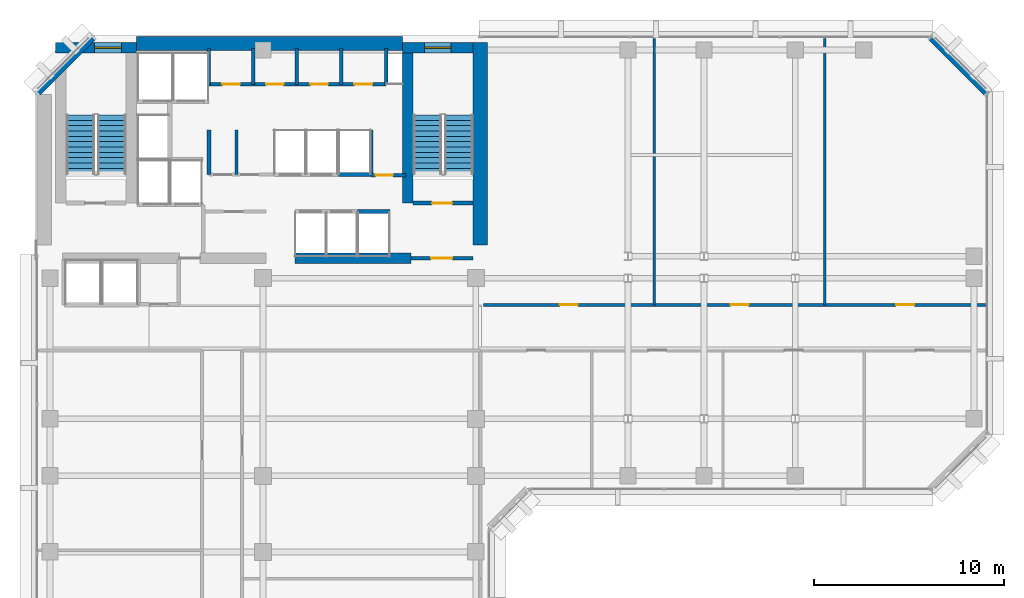
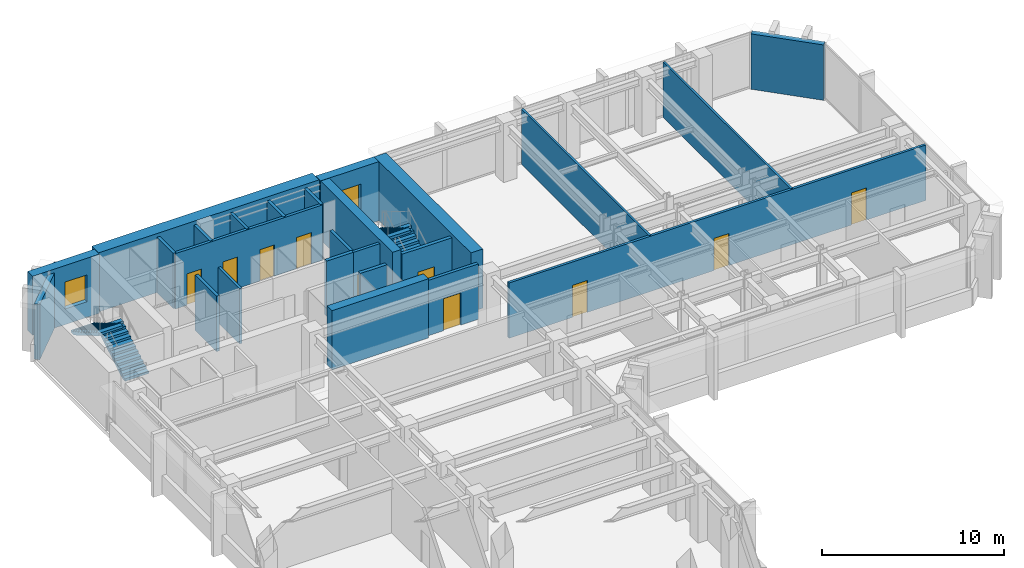
# One storey, part 8 of 11: 25 walls, 10 doors, 4 stair flights, 2 windows, 12 openings, 2 elements without a shape of their own.
"""IFC4 building model written with IfcOpenShell, lengths in metres."""

import ifcopenshell
import ifcopenshell.guid

model = None  # the IFC model being written
_history = None  # IfcOwnerHistory: only IFC2X3 demands one
_inside = {}  # id of a spatial element -> (the spatial element, [elements in it])
_under = {}  # id of a project, library or spatial element -> (it, [spatial elements below it])
_declared = {}  # id of a project -> (the project, [libraries it declares])
_typed = {}  # id of a type object -> (the type object, [elements of that type])
_made_of = {}  # id of a material, layer set ... -> (it, [elements and type objects made of it])


def new_model(schema):
    """Start an empty IFC model of exactly this schema.

    Asked for "IFC4X3", IfcOpenShell would pick the latest addendum, in which some entities
    have other attributes; the version numbers below select the first issue.
    IFC2X3 requires an IfcOwnerHistory on every rooted entity: one is made here for all.
    """
    global model, _history
    if schema == "IFC4X3":
        model = ifcopenshell.file(schema_version=(4, 3, 0, 0))
    else:
        model = ifcopenshell.file(schema=schema)
    _inside.clear()
    _under.clear()
    _declared.clear()
    _typed.clear()
    _made_of.clear()
    _history = None
    if model.schema == "IFC2X3":
        org = make("IfcOrganization", Name="unknown")
        user = make(
            "IfcPersonAndOrganization",
            ThePerson=make("IfcPerson", FamilyName="unknown"),
            TheOrganization=org,
        )
        app = make(
            "IfcApplication",
            ApplicationDeveloper=org,
            Version="unknown",
            ApplicationFullName="unknown",
            ApplicationIdentifier="unknown",
        )
        _history = make(
            "IfcOwnerHistory",
            OwningUser=user,
            OwningApplication=app,
            ChangeAction="ADDED",
            CreationDate=0,
        )
    return model


def make(cls, **values):
    """One entity of the class cls with the attributes given. An attribute that is None is left unset."""
    return model.create_entity(
        cls, **{name: value for name, value in values.items() if value is not None}
    )


def rooted(cls, **values):
    """An entity with a GlobalId (a new one), such as an element, a storey or a relation."""
    return make(cls, GlobalId=ifcopenshell.guid.new(), OwnerHistory=_history, **values)


def si_unit(unit_type, name, prefix=None):
    """IfcSIUnit, for example si_unit("LENGTHUNIT", "METRE", prefix="MILLI")."""
    return make("IfcSIUnit", UnitType=unit_type, Prefix=prefix, Name=name)


def assignment(units):
    """IfcUnitAssignment: the units of a project."""
    return None if units is None else make("IfcUnitAssignment", Units=units)


def point(xyz):
    """IfcCartesianPoint."""
    return None if xyz is None else make("IfcCartesianPoint", Coordinates=xyz)


def direction(xyz):
    """IfcDirection."""
    return None if xyz is None else make("IfcDirection", DirectionRatios=xyz)


def frame(location, z_axis=None, x_axis=None):
    """IfcAxis2Placement3D, a coordinate frame: its origin and axes. An axis left out is left unset."""
    return make(
        "IfcAxis2Placement3D",
        Location=point(location),
        Axis=direction(z_axis),
        RefDirection=direction(x_axis),
    )


def frame_2d(location, x_axis=None):
    """IfcAxis2Placement2D, a coordinate frame in the plane: its origin and x axis."""
    return make(
        "IfcAxis2Placement2D", Location=point(location), RefDirection=direction(x_axis)
    )


def origin():
    """The frame at (0, 0, 0) with its axes left unset."""
    return frame((0.0, 0.0, 0.0))


def place(relative_to, where):
    """IfcLocalPlacement: puts the frame where relative to a parent placement (None: the world)."""
    return make(
        "IfcLocalPlacement", PlacementRelTo=relative_to, RelativePlacement=where
    )


def context(
    kind, dimensions, precision=None, world=None, true_north=None, identifier=None
):
    """IfcGeometricRepresentationContext, for example the 3D "Model" context."""
    return make(
        "IfcGeometricRepresentationContext",
        ContextIdentifier=identifier,
        ContextType=kind,
        CoordinateSpaceDimension=dimensions,
        Precision=precision,
        WorldCoordinateSystem=world,
        TrueNorth=true_north,
    )


def subcontext(parent, identifier, kind, view, scale=None):
    """IfcGeometricRepresentationSubContext, for example "Body" below "Model"."""
    return make(
        "IfcGeometricRepresentationSubContext",
        ContextIdentifier=identifier,
        ContextType=kind,
        ParentContext=parent,
        TargetScale=scale,
        TargetView=view,
    )


def project(units=None, contexts=None):
    """IfcProject with its units and contexts."""
    return rooted(
        "IfcProject",
        Name="project",
        RepresentationContexts=contexts,
        UnitsInContext=assignment(units),
    )


def spatial(cls, under=None, at=None, **own):
    """A site, building, storey or space (cls), placed at a placement, below another one or the project."""
    s = rooted(cls, ObjectPlacement=at, **own)
    if under is not None:
        _under.setdefault(under.id(), (under, []))[1].append(s)
    return s


def polyline(points):
    """IfcPolyline through the points."""
    return make("IfcPolyline", Points=[point(p) for p in points])


def profile(cls, at=None, kind="AREA", **sizes):
    """A parametric profile (cls). Its sizes go by their IFC names, for example OverallWidth=200.0."""
    return make(cls, ProfileType=kind, Position=at, **sizes)


def rectangle(**sizes):
    """IfcRectangleProfileDef."""
    return profile("IfcRectangleProfileDef", **sizes)


def outline(outer, holes=None, kind="AREA"):
    """IfcArbitraryClosedProfileDef: a profile drawn as a closed curve; with holes, ...WithVoids."""
    if holes is None:
        return make("IfcArbitraryClosedProfileDef", ProfileType=kind, OuterCurve=outer)
    return make(
        "IfcArbitraryProfileDefWithVoids",
        ProfileType=kind,
        OuterCurve=outer,
        InnerCurves=holes,
    )


def extrude(swept, where, along, depth):
    """IfcExtrudedAreaSolid: the profile swept, set in the frame where, extruded along a direction by depth."""
    return make(
        "IfcExtrudedAreaSolid",
        SweptArea=swept,
        Position=where,
        ExtrudedDirection=direction(along),
        Depth=depth,
    )


def shape(context_of_items, identifier, shape_type, items):
    """IfcShapeRepresentation: the items that make up one representation, for example the "Body"."""
    return make(
        "IfcShapeRepresentation",
        ContextOfItems=context_of_items,
        RepresentationIdentifier=identifier,
        RepresentationType=shape_type,
        Items=items,
    )


def material(Name=None, Category=None):
    """IfcMaterial."""
    return make("IfcMaterial", Name=Name, Category=Category)


def layer(
    of_material, thickness, ventilated=None, Name=None, Category=None, Priority=None
):
    """IfcMaterialLayer: one layer of a wall or slab, of a material (None: an air gap)."""
    return make(
        "IfcMaterialLayer",
        Material=of_material,
        LayerThickness=thickness,
        IsVentilated=ventilated,
        Name=Name,
        Category=Category,
        Priority=Priority,
    )


def layer_set(layers, Name=None):
    """IfcMaterialLayerSet."""
    return make("IfcMaterialLayerSet", MaterialLayers=layers, LayerSetName=Name)


def made_of(thing, what):
    """Note that an element or type object is made of a material, layer set ...; save() writes the relation."""
    if what is not None:
        _made_of.setdefault(what.id(), (what, []))[1].append(thing)
    return thing


def type_object(cls, material=None, **own):
    """A type object (cls), such as IfcWallType, which elements share."""
    return made_of(rooted(cls, **own), material)


def element(
    cls,
    number,
    at=None,
    inside=None,
    cuts=None,
    type_object=None,
    material=None,
    context=None,
    identifier="Body",
    shape_type=None,
    held_by="IfcProductDefinitionShape",
    body=None,
    shapes=None,
    **own,
):
    """One element of the class cls, such as IfcWall. Its Tag is "e" and its number.

    at: its placement. inside: the storey or other place that contains it. cuts: it is an
    opening in that element (IfcRelVoidsElement). A single representation is given by context,
    identifier, shape_type and body (its items); several are given by shapes. held_by: the class
    of the entity that holds the representations. save() writes the other relations.
    """
    e = rooted(cls, Tag="e%d" % number, ObjectPlacement=at, **own)
    if body is not None:
        shapes = [shape(context, identifier, shape_type, body)]
    if shapes is not None:
        e.Representation = make(held_by, Representations=shapes)
    if inside is not None:
        _inside.setdefault(inside.id(), (inside, []))[1].append(e)
    if cuts is not None:
        rooted(
            "IfcRelVoidsElement", RelatingBuildingElement=cuts, RelatedOpeningElement=e
        )
    if type_object is not None:
        _typed.setdefault(type_object.id(), (type_object, []))[1].append(e)
    return made_of(e, material)


def fill(opening, filler):
    """IfcRelFillsElement: the door or window that sits in an opening."""
    return rooted(
        "IfcRelFillsElement",
        RelatingOpeningElement=opening,
        RelatedBuildingElement=filler,
    )


def aggregate(whole, parts):
    """IfcRelAggregates: a whole, such as a stair, and the parts it consists of."""
    return rooted("IfcRelAggregates", RelatingObject=whole, RelatedObjects=parts)


def save(model, path):
    """Write the relations noted so far, then the file.

    IfcRelAggregates (storeys below a building ...), IfcRelContainedInSpatialStructure (elements
    in a storey), IfcRelDefinesByType, IfcRelAssociatesMaterial and IfcRelDeclares: one each for
    every whole, place, type object, material and project.
    """
    for whole, parts in _under.values():
        aggregate(whole, parts)
    for where, things in _inside.values():
        rooted(
            "IfcRelContainedInSpatialStructure",
            RelatedElements=things,
            RelatingStructure=where,
        )
    for kind, things in _typed.values():
        rooted("IfcRelDefinesByType", RelatedObjects=things, RelatingType=kind)
    for what, things in _made_of.values():
        rooted("IfcRelAssociatesMaterial", RelatedObjects=things, RelatingMaterial=what)
    for by, libraries in _declared.values():
        rooted("IfcRelDeclares", RelatingContext=by, RelatedDefinitions=libraries)
    model.write(path)


model = new_model("IFC4")

# Units and contexts
model_context = context("Model", 3, precision=1e-05, world=origin(), true_north=direction((0.0, 1.0)))
body_context = subcontext(model_context, "Body", "Model", "MODEL_VIEW")
ifc_project = project(units=[si_unit("LENGTHUNIT", "METRE"), si_unit("AREAUNIT", "SQUARE_METRE"), si_unit("VOLUMEUNIT", "CUBIC_METRE"), si_unit("PLANEANGLEUNIT", "RADIAN"), si_unit("MASSUNIT", "GRAM", prefix="KILO")], contexts=[model_context])

# Site, building, storey
site_placement = place(None, origin())
site = spatial("IfcSite", under=ifc_project, at=site_placement, CompositionType="ELEMENT")
building_placement = place(site_placement, origin())
building = spatial("IfcBuilding", under=site, at=building_placement, Name="Kefirva Bronze Tower", CompositionType="ELEMENT")
storey_placement = place(building_placement, frame((0.0, 0.0, 158.72998046875)))
storey = spatial("IfcBuildingStorey", under=building, at=storey_placement, Name="L38", CompositionType="ELEMENT", Elevation=158.72998046875)

# Walls
ifc_material_1 = material(Name="Gypsum acoustic partition")
ifc_layer_1 = layer(ifc_material_1, 0.1298828125, Name="Gypsum acoustic partition")
ifc_layer_set_1 = layer_set([ifc_layer_1], Name="Gypsum acoustic partition")
wall_type_1 = type_object("IfcWallType", Name="Acoustic Office Partition 130mm", PredefinedType="PARTITIONING", material=ifc_layer_set_1)
for number, where, z_axis, x_axis, name in (
    (1, (32.579345703125, 31.800048828125, 0.0), (0.0, 0.0, 1.0), (0.0, 1.0, 0.0), "L38 Partition W-L38-END1"),
    (2, (41.558837890625, 31.800048828125, 0.0), (0.0, 0.0, 1.0), (0.0, 1.0, 0.0), "L38 Partition W-L38-END2"),
):
    element("IfcWall", number, at=place(storey_placement, frame(where, z_axis=z_axis, x_axis=x_axis)), inside=storey, type_object=wall_type_1, Name=name, PredefinedType="PARTITIONING", context=body_context, shape_type="SweptSolid", body=[
        extrude(rectangle(XDim=14.010009765625, YDim=0.1298828125, at=frame_2d((7.0048828125, 0.0))), origin(), (0.0, 0.0, 1.0), 3.7099609375),
    ])

# Wall, opening, door
ifc_material_2 = material(Name="Gypsum fireboard shaftwall")
ifc_layer_2 = layer(ifc_material_2, 0.219970703125, Name="Gypsum fireboard shaftwall")
ifc_layer_set_2 = layer_set([ifc_layer_2], Name="Gypsum fireboard shaftwall")
wall_type_2 = type_object("IfcWallType", Name="Fire-Rated Shaft Enclosure Wall 220mm", PredefinedType="PARTITIONING", material=ifc_layer_set_2)
wall_1_placement = place(storey_placement, frame((19.89990234375, 37.14990234375, 0.0), z_axis=(0.0, 0.0, 1.0), x_axis=(1.0, 0.0, 0.0)))
wall_1 = element("IfcWall", 3, at=wall_1_placement, inside=storey, type_object=wall_type_2, Name="L38 Partition W-L38-ST2S", PredefinedType="PARTITIONING", context=body_context, shape_type="SweptSolid", body=[
    extrude(rectangle(XDim=3.150146484375, YDim=0.219970703125, at=frame_2d((1.5751953125, 0.0))), origin(), (0.0, 0.0, 1.0), 3.7099609375),
])
opening_1_placement = place(wall_1_placement, frame((2.050048828125, 0.0, 0.0), z_axis=(0.0, 0.0, 1.0), x_axis=(-1.0, 0.0, 0.0)))
opening_1 = element("IfcOpeningElement", 4, at=opening_1_placement, cuts=wall_1, Name="Opening L38-D003", PredefinedType="OPENING", context=body_context, shape_type="SweptSolid", body=[
    extrude(rectangle(XDim=1.050048828125, YDim=2.14990234375, at=frame_2d((0.52490234375, 1.074951171875))), frame((0.0, 0.1201171875, 0.0), z_axis=(0.0, -1.0, 0.0), x_axis=(1.0, 0.0, 0.0)), (0.0, 0.0, 1.0), 0.239990234375),
])
ifc_material_3 = material(Name="Painted galvanized steel", Category="steel")
door_type_1 = type_object("IfcDoorType", Name="Fire Stair Enclosure Door 1050x2150 FD90S", OperationType="NOTDEFINED", PredefinedType="DOOR", material=ifc_material_3)
door_1_placement = place(opening_1_placement, origin())
door_1 = element("IfcDoor", 5, at=door_1_placement, inside=storey, type_object=door_type_1, Name="Door L38-D003", OperationType="SINGLE_SWING_RIGHT", OverallHeight=2.14990234375, OverallWidth=1.050048828125, PredefinedType="DOOR", context=body_context, shape_type="SweptSolid", body=[
    extrude(rectangle(XDim=1.050048828125, YDim=2.14990234375, at=frame_2d((0.52490234375, 1.074951171875))), frame((0.0, 0.02490234375, 0.0), z_axis=(0.0, -1.0, 0.0), x_axis=(1.0, 0.0, 0.0)), (0.0, 0.0, 1.0), 0.050048828125),
])
fill(opening_1, door_1)

# Walls
for number, where, z_axis, x_axis, name in (
    (6, (9.159912109375, 38.64990234375, 0.0), (0.0, 0.0, 1.0), (0.0, 1.0, 0.0), "L38 Partition W-L38-LP3W"),
    (7, (17.679931640625, 38.64990234375, 0.0), (0.0, 0.0, 1.0), (0.0, 1.0, 0.0), "L38 Partition W-L38-HP2E"),
):
    element("IfcWall", number, at=place(storey_placement, frame(where, z_axis=z_axis, x_axis=x_axis)), inside=storey, type_object=wall_type_2, Name=name, PredefinedType="PARTITIONING", context=body_context, shape_type="SweptSolid", body=[
        extrude(rectangle(XDim=2.35009765625, YDim=0.199951171875, at=frame_2d((1.175048828125, 0.0))), origin(), (0.0, 0.0, 1.0), 3.7099609375),
    ])
wall_2_placement = place(storey_placement, frame((16.97998046875, 36.699951171875, 0.0), z_axis=(0.0, 0.0, 1.0), x_axis=(1.0, 0.0, 0.0)))
element("IfcWall", 8, at=wall_2_placement, inside=storey, type_object=wall_type_2, Name="L38 Partition W-L38-HPS", PredefinedType="PARTITIONING", context=body_context, shape_type="SweptSolid", body=[
    extrude(rectangle(XDim=1.699951171875, YDim=0.219970703125, at=frame_2d((0.85009765625, 0.0))), origin(), (0.0, 0.0, 1.0), 3.7099609375),
])
wall_3_placement = place(storey_placement, frame((15.97998046875, 38.64990234375, 0.0), z_axis=(0.0, 0.0, 1.0), x_axis=(1.0, 0.0, 0.0)))
element("IfcWall", 9, at=wall_3_placement, inside=storey, type_object=wall_type_2, Name="L38 Partition W-L38-HPN", PredefinedType="PARTITIONING", context=body_context, shape_type="SweptSolid", body=[
    extrude(rectangle(XDim=1.719970703125, YDim=0.219970703125, at=frame_2d((0.85986328125, 0.0))), origin(), (0.0, 0.0, 1.0), 3.7099609375),
])

# Wall, opening, door
ifc_material_4 = material(Name="Gypsum fireboard barrier")
ifc_layer_3 = layer(ifc_material_4, 0.199951171875, Name="Gypsum fireboard barrier")
ifc_layer_set_3 = layer_set([ifc_layer_3], Name="Gypsum fireboard barrier")
wall_type_3 = type_object("IfcWallType", Name="Firefighting Lobby Barrier Wall 200mm", PredefinedType="PARTITIONING", material=ifc_layer_set_3)
wall_4_placement = place(storey_placement, frame((19.800048828125, 34.25, 0.0), z_axis=(0.0, 0.0, 1.0), x_axis=(1.0, 0.0, 0.0)))
wall_4 = element("IfcWall", 10, at=wall_4_placement, inside=storey, type_object=wall_type_3, Name="L38 Partition W-L38-ST2F", PredefinedType="PARTITIONING", context=body_context, shape_type="SweptSolid", body=[
    extrude(rectangle(XDim=3.25, YDim=0.199951171875, at=frame_2d((1.625, 0.0))), origin(), (0.0, 0.0, 1.0), 3.7099609375),
])
opening_2_placement = place(wall_4_placement, frame((2.150146484375, 0.0, 0.0), z_axis=(0.0, 0.0, 1.0), x_axis=(-1.0, 0.0, 0.0)))
opening_2 = element("IfcOpeningElement", 11, at=opening_2_placement, cuts=wall_4, Name="Opening L38-D004", PredefinedType="OPENING", context=body_context, shape_type="SweptSolid", body=[
    extrude(rectangle(XDim=1.10009765625, YDim=2.14990234375, at=frame_2d((0.550048828125, 1.074951171875))), frame((0.0, 0.10986328125, 0.0), z_axis=(0.0, -1.0, 0.0), x_axis=(1.0, 0.0, 0.0)), (0.0, 0.0, 1.0), 0.219970703125),
])
door_type_2 = type_object("IfcDoorType", Name="Firefighting Lobby Smoke Door 1100x2150 FD60S", OperationType="NOTDEFINED", PredefinedType="DOOR", material=ifc_material_3)
door_2_placement = place(opening_2_placement, origin())
door_2 = element("IfcDoor", 12, at=door_2_placement, inside=storey, type_object=door_type_2, Name="Door L38-D004", OperationType="SINGLE_SWING_LEFT", OverallHeight=2.14990234375, OverallWidth=1.10009765625, PredefinedType="DOOR", context=body_context, shape_type="SweptSolid", body=[
    extrude(rectangle(XDim=1.10009765625, YDim=2.14990234375, at=frame_2d((0.550048828125, 1.074951171875))), frame((0.0, 0.02490234375, 0.0), z_axis=(0.0, -1.0, 0.0), x_axis=(1.0, 0.0, 0.0)), (0.0, 0.0, 1.0), 0.050048828125),
])
fill(opening_2, door_2)

wall_5_placement = place(storey_placement, frame((17.679931640625, 38.6201171875, 0.0), z_axis=(0.0, 0.0, 1.0), x_axis=(1.0, 0.0, 0.0)))
wall_5 = element("IfcWall", 13, at=wall_5_placement, inside=storey, type_object=wall_type_3, Name="L38 Partition W-L38-CPASS", PredefinedType="PARTITIONING", context=body_context, shape_type="SweptSolid", body=[
    extrude(rectangle(XDim=1.840087890625, YDim=0.179931640625, at=frame_2d((0.919921875, 0.0))), origin(), (0.0, 0.0, 1.0), 3.7099609375),
])
opening_3_placement = place(wall_5_placement, frame((0.239990234375, 0.0, 0.0)))
opening_3 = element("IfcOpeningElement", 14, at=opening_3_placement, cuts=wall_5, Name="Opening L38-D-CPAS", PredefinedType="OPENING", context=body_context, shape_type="SweptSolid", body=[
    extrude(rectangle(XDim=0.919921875, YDim=2.10009765625, at=frame_2d((0.4599609375, 1.050048828125))), frame((0.0, 0.10009765625, 0.0), z_axis=(0.0, -1.0, 0.0), x_axis=(1.0, 0.0, 0.0)), (0.0, 0.0, 1.0), 0.199951171875),
])
ifc_material_5 = material(Name="Moisture-resistant timber", Category="wood")
door_type_3 = type_object("IfcDoorType", Name="Accessible Sanitary & WC Door 920x2100", OperationType="NOTDEFINED", PredefinedType="DOOR", material=ifc_material_5)
door_3_placement = place(opening_3_placement, origin())
door_3 = element("IfcDoor", 15, at=door_3_placement, inside=storey, type_object=door_type_3, Name="Door L38-D-CPAS", OperationType="SINGLE_SWING_RIGHT", OverallHeight=2.10009765625, OverallWidth=0.919921875, PredefinedType="DOOR", context=body_context, shape_type="SweptSolid", body=[
    extrude(rectangle(XDim=0.919921875, YDim=2.10009765625, at=frame_2d((0.4599609375, 1.050048828125))), frame((0.0, 0.02490234375, 0.0), z_axis=(0.0, -1.0, 0.0), x_axis=(1.0, 0.0, 0.0)), (0.0, 0.0, 1.0), 0.050048828125),
])
fill(opening_3, door_3)

# Walls
ifc_material_6 = material(Name="Precast concrete C40/50", Category="concrete")
ifc_layer_4 = layer(ifc_material_6, 0.320068359375, Name="Precast concrete C40/50")
ifc_layer_set_4 = layer_set([ifc_layer_4], Name="Precast concrete C40/50")
wall_type_4 = type_object("IfcWallType", Name="Precast Insulated Exterior Wall 320mm", PredefinedType="SOLIDWALL", material=ifc_layer_set_4)
for number, where, z_axis, x_axis, name in (
    (16, (50.048095703125, 42.92578125, 0.0), (0.0, 0.0, 1.0), (-0.707136318428, 0.707077242712, 0.0), "L38 Exterior Facade Wall 4"),
    (17, (3.07421875, 45.847900390625, 0.0), (0.0, 0.0, 1.0), (-0.707106781187, -0.707106781187, 0.0), "L38 Exterior Facade Wall 5"),
):
    element("IfcWall", number, at=place(storey_placement, frame(where, z_axis=z_axis, x_axis=x_axis)), inside=storey, type_object=wall_type_4, Name=name, PredefinedType="SOLIDWALL", context=body_context, shape_type="SweptSolid", body=[
        extrude(rectangle(XDim=4.132568359375, YDim=0.320068359375, at=frame_2d((2.06640625, 0.0))), origin(), (0.0, 0.0, 1.0), 3.7099609375),
    ])
ifc_layer_5 = layer(ifc_material_1, 0.159912109375, Name="Gypsum acoustic partition")
ifc_layer_set_5 = layer_set([ifc_layer_5], Name="Gypsum acoustic partition")
wall_type_5 = type_object("IfcWallType", Name="Protected Corridor Partition 160mm", PredefinedType="PARTITIONING", material=ifc_layer_set_5)
wall_6_placement = place(storey_placement, frame((10.60009765625, 38.64990234375, 0.0), z_axis=(0.0, 0.0, 1.0), x_axis=(0.0, 1.0, 0.0)))
element("IfcWall", 18, at=wall_6_placement, inside=storey, type_object=wall_type_5, Name="L38 Partition W-L38-RECLP2D", PredefinedType="PARTITIONING", context=body_context, shape_type="SweptSolid", body=[
    extrude(rectangle(XDim=2.35009765625, YDim=0.159912109375, at=frame_2d((1.175048828125, 0.0))), origin(), (0.0, 0.0, 1.0), 3.7099609375),
])

# Wall, openings, doors
wall_7_placement = place(storey_placement, frame((23.60009765625, 31.800048828125, 0.0), z_axis=(0.0, 0.0, 1.0), x_axis=(1.0, 0.0, 0.0)))
wall_7 = element("IfcWall", 19, at=wall_7_placement, inside=storey, type_object=wall_type_5, Name="L38 Partition W-L38-EWN", PredefinedType="PARTITIONING", context=body_context, shape_type="SweptSolid", body=[
    extrude(rectangle(XDim=26.409912109375, YDim=0.159912109375, at=frame_2d((13.205078125, 0.0))), origin(), (0.0, 0.0, 1.0), 3.7099609375),
])
opening_4_placement = place(wall_7_placement, frame((4.0146484375, 0.0, 0.0)))
opening_4 = element("IfcOpeningElement", 20, at=opening_4_placement, cuts=wall_7, Name="Opening L38-D-EN1", PredefinedType="OPENING", context=body_context, shape_type="SweptSolid", body=[
    extrude(rectangle(XDim=0.949951171875, YDim=2.14990234375, at=frame_2d((0.47509765625, 1.074951171875))), frame((0.0, 0.08984375, 0.0), z_axis=(0.0, -1.0, 0.0), x_axis=(1.0, 0.0, 0.0)), (0.0, 0.0, 1.0), 0.179931640625),
])
opening_5_placement = place(wall_7_placement, frame((12.994140625, 0.0, 0.0)))
opening_5 = element("IfcOpeningElement", 21, at=opening_5_placement, cuts=wall_7, Name="Opening L38-D-EN2", PredefinedType="OPENING", context=body_context, shape_type="SweptSolid", body=[
    extrude(rectangle(XDim=0.949951171875, YDim=2.14990234375, at=frame_2d((0.47509765625, 1.074951171875))), frame((0.0, 0.08984375, 0.0), z_axis=(0.0, -1.0, 0.0), x_axis=(1.0, 0.0, 0.0)), (0.0, 0.0, 1.0), 0.179931640625),
])
opening_6_placement = place(wall_7_placement, frame((21.70947265625, 0.0, 0.0)))
opening_6 = element("IfcOpeningElement", 22, at=opening_6_placement, cuts=wall_7, Name="Opening L38-D-EN3", PredefinedType="OPENING", context=body_context, shape_type="SweptSolid", body=[
    extrude(rectangle(XDim=0.949951171875, YDim=2.14990234375, at=frame_2d((0.47509765625, 1.074951171875))), frame((0.0, 0.08984375, 0.0), z_axis=(0.0, -1.0, 0.0), x_axis=(1.0, 0.0, 0.0)), (0.0, 0.0, 1.0), 0.179931640625),
])
ifc_material_7 = material(Name="Acoustic hardwood oak", Category="wood")
door_type_4 = type_object("IfcDoorType", Name="Office & Meeting Room Door 950x2150", OperationType="NOTDEFINED", PredefinedType="DOOR", material=ifc_material_7)
door_4_placement = place(opening_4_placement, origin())
door_4 = element("IfcDoor", 23, at=door_4_placement, inside=storey, type_object=door_type_4, Name="Door L38-D-EN1", OperationType="SINGLE_SWING_LEFT", OverallHeight=2.14990234375, OverallWidth=0.949951171875, PredefinedType="DOOR", context=body_context, shape_type="SweptSolid", body=[
    extrude(rectangle(XDim=0.949951171875, YDim=2.14990234375, at=frame_2d((0.47509765625, 1.074951171875))), frame((0.0, 0.02490234375, 0.0), z_axis=(0.0, -1.0, 0.0), x_axis=(1.0, 0.0, 0.0)), (0.0, 0.0, 1.0), 0.050048828125),
])
fill(opening_4, door_4)
door_5_placement = place(opening_5_placement, origin())
door_5 = element("IfcDoor", 24, at=door_5_placement, inside=storey, type_object=door_type_4, Name="Door L38-D-EN2", OperationType="SINGLE_SWING_RIGHT", OverallHeight=2.14990234375, OverallWidth=0.949951171875, PredefinedType="DOOR", context=body_context, shape_type="SweptSolid", body=[
    extrude(rectangle(XDim=0.949951171875, YDim=2.14990234375, at=frame_2d((0.47509765625, 1.074951171875))), frame((0.0, 0.02490234375, 0.0), z_axis=(0.0, -1.0, 0.0), x_axis=(1.0, 0.0, 0.0)), (0.0, 0.0, 1.0), 0.050048828125),
])
fill(opening_5, door_5)
door_6_placement = place(opening_6_placement, origin())
door_6 = element("IfcDoor", 25, at=door_6_placement, inside=storey, type_object=door_type_4, Name="Door L38-D-EN3", OperationType="SINGLE_SWING_LEFT", OverallHeight=2.14990234375, OverallWidth=0.949951171875, PredefinedType="DOOR", context=body_context, shape_type="SweptSolid", body=[
    extrude(rectangle(XDim=0.949951171875, YDim=2.14990234375, at=frame_2d((0.47509765625, 1.074951171875))), frame((0.0, 0.02490234375, 0.0), z_axis=(0.0, -1.0, 0.0), x_axis=(1.0, 0.0, 0.0)), (0.0, 0.0, 1.0), 0.050048828125),
])
fill(opening_6, door_6)

# Wall, opening, window
ifc_material_8 = material(Name="Concrete C50/60", Category="concrete")
ifc_layer_6 = layer(ifc_material_8, 0.550048828125, Name="Concrete C50/60")
ifc_layer_set_6 = layer_set([ifc_layer_6], Name="Concrete C50/60")
wall_type_6 = type_object("IfcWallType", Name="RC Rear Core Exterior Wall 550mm", PredefinedType="SHEAR", material=ifc_layer_set_6)
wall_8_placement = place(storey_placement, frame((1.10009765625, 45.320068359375, 0.0), z_axis=(0.0, 0.0, 1.0), x_axis=(1.0, 0.0, 0.0)))
wall_8 = element("IfcWall", 26, at=wall_8_placement, inside=storey, type_object=wall_type_6, Name="L38 Stair 1 North Shear Wall", PredefinedType="SHEAR", context=body_context, shape_type="SweptSolid", body=[
    extrude(rectangle(XDim=4.239990234375, YDim=0.550048828125, at=frame_2d((2.1201171875, 0.0))), origin(), (0.0, 0.0, 1.0), 3.9599609375),
])
opening_7_placement = place(wall_8_placement, frame((2.050048828125, 0.0, 1.050048828125)))
opening_7 = element("IfcOpeningElement", 27, at=opening_7_placement, cuts=wall_8, Name="Opening WN-03", PredefinedType="OPENING", context=body_context, shape_type="SweptSolid", body=[
    extrude(rectangle(XDim=1.39990234375, YDim=1.800048828125, at=frame_2d((0.699951171875, 0.89990234375))), frame((0.0, 0.28515625, 0.0), z_axis=(0.0, -1.0, 0.0), x_axis=(1.0, 0.0, 0.0)), (0.0, 0.0, 1.0), 0.570068359375),
])
ifc_material_9 = material(Name="Laminated low-E double glazing", Category="glass")
window_type = type_object("IfcWindowType", Name="Rear-Core Stair Daylight Window 1400x1800", PartitioningType="SINGLE_PANEL", PredefinedType="WINDOW", material=ifc_material_9)
window_1_placement = place(opening_7_placement, origin())
window_1 = element("IfcWindow", 28, at=window_1_placement, inside=storey, type_object=window_type, Name="L38 Stair 1 Daylight Window", OverallHeight=1.800048828125, OverallWidth=1.39990234375, PartitioningType="SINGLE_PANEL", PredefinedType="WINDOW", context=body_context, shape_type="SweptSolid", body=[
    extrude(rectangle(XDim=1.39990234375, YDim=1.800048828125, at=frame_2d((0.699951171875, 0.89990234375))), frame((0.0, 0.030029296875, 0.0), z_axis=(0.0, -1.0, 0.0), x_axis=(1.0, 0.0, 0.0)), (0.0, 0.0, 1.0), 0.06005859375),
])
fill(opening_7, window_1)

wall_9_placement = place(storey_placement, frame((19.35009765625, 45.320068359375, 0.0), z_axis=(0.0, 0.0, 1.0), x_axis=(1.0, 0.0, 0.0)))
wall_9 = element("IfcWall", 29, at=wall_9_placement, inside=storey, type_object=wall_type_6, Name="L38 Stair 2 North Shear Wall", PredefinedType="SHEAR", context=body_context, shape_type="SweptSolid", body=[
    extrude(rectangle(XDim=3.68994140625, YDim=0.550048828125, at=frame_2d((1.844970703125, 0.0))), origin(), (0.0, 0.0, 1.0), 3.9599609375),
])
opening_8_placement = place(wall_9_placement, frame((1.14990234375, 0.0, 1.050048828125)))
opening_8 = element("IfcOpeningElement", 30, at=opening_8_placement, cuts=wall_9, Name="Opening WN-03", PredefinedType="OPENING", context=body_context, shape_type="SweptSolid", body=[
    extrude(rectangle(XDim=1.39990234375, YDim=1.800048828125, at=frame_2d((0.699951171875, 0.89990234375))), frame((0.0, 0.28515625, 0.0), z_axis=(0.0, -1.0, 0.0), x_axis=(1.0, 0.0, 0.0)), (0.0, 0.0, 1.0), 0.570068359375),
])
window_2_placement = place(opening_8_placement, origin())
window_2 = element("IfcWindow", 31, at=window_2_placement, inside=storey, type_object=window_type, Name="L38 Stair 2 Daylight Window", OverallHeight=1.800048828125, OverallWidth=1.39990234375, PartitioningType="SINGLE_PANEL", PredefinedType="WINDOW", context=body_context, shape_type="SweptSolid", body=[
    extrude(rectangle(XDim=1.39990234375, YDim=1.800048828125, at=frame_2d((0.699951171875, 0.89990234375))), frame((0.0, 0.030029296875, 0.0), z_axis=(0.0, -1.0, 0.0), x_axis=(1.0, 0.0, 0.0)), (0.0, 0.0, 1.0), 0.06005859375),
])
fill(opening_8, window_2)

# Walls
ifc_material_10 = material(Name="Concrete C60/75", Category="concrete")
ifc_layer_7 = layer(ifc_material_10, 0.75, Name="Concrete C60/75")
ifc_layer_set_7 = layer_set([ifc_layer_7], Name="Concrete C60/75")
wall_type_7 = type_object("IfcWallType", Name="RC Rear Core Exterior Wall 750mm", PredefinedType="SHEAR", material=ifc_layer_set_7)
wall_10_placement = place(storey_placement, frame((5.360107421875, 45.550048828125, 0.0), z_axis=(0.0, 0.0, 1.0), x_axis=(1.0, 0.0, 0.0)))
element("IfcWall", 32, at=wall_10_placement, inside=storey, type_object=wall_type_7, Name="L38 Rear Core North Shear Wall", PredefinedType="SHEAR", context=body_context, shape_type="SweptSolid", body=[
    extrude(rectangle(XDim=13.97998046875, YDim=0.75, at=frame_2d((6.989990234375, 0.0))), origin(), (0.0, 0.0, 1.0), 3.9599609375),
])
ifc_layer_8 = layer(ifc_material_8, 0.550048828125, Name="Concrete C50/60")
ifc_layer_set_8 = layer_set([ifc_layer_8], Name="Concrete C50/60")
wall_type_8 = type_object("IfcWallType", Name="RC Rear Core Interior Wall 550mm", PredefinedType="SHEAR", material=ifc_layer_set_8)
wall_11_placement = place(storey_placement, frame((19.6201171875, 37.14990234375, 0.0), z_axis=(0.0, 0.0, 1.0), x_axis=(0.0, 1.0, 0.0)))
element("IfcWall", 33, at=wall_11_placement, inside=storey, type_object=wall_type_8, Name="L38 Stair 2 West Shear Wall", PredefinedType="SHEAR", context=body_context, shape_type="SweptSolid", body=[
    extrude(rectangle(XDim=7.89013671875, YDim=0.550048828125, at=frame_2d((3.945068359375, 0.0))), origin(), (0.0, 0.0, 1.0), 3.9599609375),
])
ifc_layer_9 = layer(ifc_material_10, 0.75, Name="Concrete C60/75")
ifc_layer_set_9 = layer_set([ifc_layer_9], Name="Concrete C60/75")
wall_type_9 = type_object("IfcWallType", Name="RC Rear Core Interior Wall 750mm", PredefinedType="SHEAR", material=ifc_layer_set_9)
wall_12_placement = place(storey_placement, frame((23.425048828125, 34.949951171875, 0.0), z_axis=(0.0, 0.0, 1.0), x_axis=(0.0, 1.0, 0.0)))
element("IfcWall", 34, at=wall_12_placement, inside=storey, type_object=wall_type_9, Name="L38 Rear Core East Shear Wall", PredefinedType="SHEAR", context=body_context, shape_type="SweptSolid", body=[
    extrude(rectangle(XDim=10.64013671875, YDim=0.75, at=frame_2d((5.320068359375, 0.0))), origin(), (0.0, 0.0, 1.0), 3.9599609375),
])
wall_13_placement = place(storey_placement, frame((13.679931640625, 34.25, 0.0), z_axis=(0.0, 0.0, 1.0), x_axis=(1.0, 0.0, 0.0)))
element("IfcWall", 35, at=wall_13_placement, inside=storey, type_object=wall_type_9, Name="L38 Rear Core South-East Shear Wall", PredefinedType="SHEAR", context=body_context, shape_type="SweptSolid", body=[
    extrude(rectangle(XDim=6.1201171875, YDim=0.550048828125, at=frame_2d((3.06005859375, 0.0))), origin(), (0.0, 0.0, 1.0), 3.9599609375),
])

# Wall, openings, doors
ifc_material_11 = material(Name="Moisture-resistant partition")
ifc_layer_10 = layer(ifc_material_11, 0.179931640625, Name="Moisture-resistant partition")
ifc_layer_set_10 = layer_set([ifc_layer_10], Name="Moisture-resistant partition")
wall_type_10 = type_object("IfcWallType", Name="Sanitary Plumbing Chase Wall 180mm", PredefinedType="PLUMBINGWALL", material=ifc_layer_set_10)
wall_14_placement = place(storey_placement, frame((9.14990234375, 43.39990234375, 0.0), z_axis=(0.0, 0.0, 1.0), x_axis=(1.0, 0.0, 0.0)))
wall_14 = element("IfcWall", 36, at=wall_14_placement, inside=storey, type_object=wall_type_10, Name="L38 Partition W-L38-SVCS", PredefinedType="PLUMBINGWALL", context=body_context, shape_type="SweptSolid", body=[
    extrude(rectangle(XDim=9.330078125, YDim=0.179931640625, at=frame_2d((4.6650390625, 0.0))), origin(), (0.0, 0.0, 1.0), 3.7099609375),
])
opening_9_placement = place(wall_14_placement, frame((0.719970703125, 0.0, 0.0)))
opening_9 = element("IfcOpeningElement", 37, at=opening_9_placement, cuts=wall_14, Name="Opening L38-D-CSVC1", PredefinedType="OPENING", context=body_context, shape_type="SweptSolid", body=[
    extrude(rectangle(XDim=0.919921875, YDim=2.10009765625, at=frame_2d((0.4599609375, 1.050048828125))), frame((0.0, 0.10009765625, 0.0), z_axis=(0.0, -1.0, 0.0), x_axis=(1.0, 0.0, 0.0)), (0.0, 0.0, 1.0), 0.199951171875),
])
opening_10_placement = place(wall_14_placement, frame((3.02001953125, 0.0, 0.0)))
opening_10 = element("IfcOpeningElement", 38, at=opening_10_placement, cuts=wall_14, Name="Opening L38-D-CSVC2", PredefinedType="OPENING", context=body_context, shape_type="SweptSolid", body=[
    extrude(rectangle(XDim=0.919921875, YDim=2.10009765625, at=frame_2d((0.4599609375, 1.050048828125))), frame((0.0, 0.10009765625, 0.0), z_axis=(0.0, -1.0, 0.0), x_axis=(1.0, 0.0, 0.0)), (0.0, 0.0, 1.0), 0.199951171875),
])
opening_11_placement = place(wall_14_placement, frame((5.340087890625, 0.0, 0.0)))
opening_11 = element("IfcOpeningElement", 39, at=opening_11_placement, cuts=wall_14, Name="Opening L38-D-CSVC3", PredefinedType="OPENING", context=body_context, shape_type="SweptSolid", body=[
    extrude(rectangle(XDim=0.919921875, YDim=2.10009765625, at=frame_2d((0.4599609375, 1.050048828125))), frame((0.0, 0.10009765625, 0.0), z_axis=(0.0, -1.0, 0.0), x_axis=(1.0, 0.0, 0.0)), (0.0, 0.0, 1.0), 0.199951171875),
])
opening_12_placement = place(wall_14_placement, frame((7.659912109375, 0.0, 0.0)))
opening_12 = element("IfcOpeningElement", 40, at=opening_12_placement, cuts=wall_14, Name="Opening L38-D-CSVC4", PredefinedType="OPENING", context=body_context, shape_type="SweptSolid", body=[
    extrude(rectangle(XDim=0.949951171875, YDim=2.10009765625, at=frame_2d((0.47509765625, 1.050048828125))), frame((0.0, 0.10009765625, 0.0), z_axis=(0.0, -1.0, 0.0), x_axis=(1.0, 0.0, 0.0)), (0.0, 0.0, 1.0), 0.199951171875),
])
door_7_placement = place(opening_9_placement, origin())
door_7 = element("IfcDoor", 41, at=door_7_placement, inside=storey, type_object=door_type_3, Name="Door L38-D-CSVC1", OperationType="SINGLE_SWING_LEFT", OverallHeight=2.10009765625, OverallWidth=0.919921875, PredefinedType="DOOR", context=body_context, shape_type="SweptSolid", body=[
    extrude(rectangle(XDim=0.919921875, YDim=2.10009765625, at=frame_2d((0.4599609375, 1.050048828125))), frame((0.0, 0.02490234375, 0.0), z_axis=(0.0, -1.0, 0.0), x_axis=(1.0, 0.0, 0.0)), (0.0, 0.0, 1.0), 0.050048828125),
])
fill(opening_9, door_7)
door_8_placement = place(opening_10_placement, origin())
door_8 = element("IfcDoor", 42, at=door_8_placement, inside=storey, type_object=door_type_3, Name="Door L38-D-CSVC2", OperationType="SINGLE_SWING_RIGHT", OverallHeight=2.10009765625, OverallWidth=0.919921875, PredefinedType="DOOR", context=body_context, shape_type="SweptSolid", body=[
    extrude(rectangle(XDim=0.919921875, YDim=2.10009765625, at=frame_2d((0.4599609375, 1.050048828125))), frame((0.0, 0.02490234375, 0.0), z_axis=(0.0, -1.0, 0.0), x_axis=(1.0, 0.0, 0.0)), (0.0, 0.0, 1.0), 0.050048828125),
])
fill(opening_10, door_8)
door_9_placement = place(opening_11_placement, origin())
door_9 = element("IfcDoor", 43, at=door_9_placement, inside=storey, type_object=door_type_3, Name="Door L38-D-CSVC3", OperationType="SINGLE_SWING_LEFT", OverallHeight=2.10009765625, OverallWidth=0.919921875, PredefinedType="DOOR", context=body_context, shape_type="SweptSolid", body=[
    extrude(rectangle(XDim=0.919921875, YDim=2.10009765625, at=frame_2d((0.4599609375, 1.050048828125))), frame((0.0, 0.02490234375, 0.0), z_axis=(0.0, -1.0, 0.0), x_axis=(1.0, 0.0, 0.0)), (0.0, 0.0, 1.0), 0.050048828125),
])
fill(opening_11, door_9)
door_type_5 = type_object("IfcDoorType", Name="Riser & Plant Shaft Fire Door 950x2100 FD60S", OperationType="NOTDEFINED", PredefinedType="DOOR", material=ifc_material_3)
door_10_placement = place(opening_12_placement, origin())
door_10 = element("IfcDoor", 44, at=door_10_placement, inside=storey, type_object=door_type_5, Name="Door L38-D-CSVC4", OperationType="SINGLE_SWING_RIGHT", OverallHeight=2.10009765625, OverallWidth=0.949951171875, PredefinedType="DOOR", context=body_context, shape_type="SweptSolid", body=[
    extrude(rectangle(XDim=0.949951171875, YDim=2.10009765625, at=frame_2d((0.47509765625, 1.050048828125))), frame((0.0, 0.02490234375, 0.0), z_axis=(0.0, -1.0, 0.0), x_axis=(1.0, 0.0, 0.0)), (0.0, 0.0, 1.0), 0.050048828125),
])
fill(opening_12, door_10)

# Walls
for number, where, z_axis, x_axis, name in (
    (45, (9.14990234375, 43.39990234375, 0.0), (0.0, 0.0, 1.0), (0.0, 1.0, 0.0), "L38 Partition W-L38-SVCW"),
    (46, (18.47998046875, 43.39990234375, 0.0), (0.0, 0.0, 1.0), (0.0, 1.0, 0.0), "L38 Partition W-L38-SVCE"),
    (47, (11.47998046875, 43.39990234375, 0.0), (0.0, 0.0, 1.0), (0.0, 1.0, 0.0), "L38 Partition W-L38-CSVD-1"),
    (48, (13.780029296875, 43.39990234375, 0.0), (0.0, 0.0, 1.0), (0.0, 1.0, 0.0), "L38 Partition W-L38-CSVD-2"),
    (49, (16.1201171875, 43.39990234375, 0.0), (0.0, 0.0, 1.0), (0.0, 1.0, 0.0), "L38 Partition W-L38-CSVD-3"),
):
    element("IfcWall", number, at=place(storey_placement, frame(where, z_axis=z_axis, x_axis=x_axis)), inside=storey, type_object=wall_type_10, Name=name, PredefinedType="PLUMBINGWALL", context=body_context, shape_type="SweptSolid", body=[
        extrude(rectangle(XDim=1.880126953125, YDim=0.179931640625, at=frame_2d((0.93994140625, 0.0))), origin(), (0.0, 0.0, 1.0), 3.7099609375),
    ])

# Stair, stair flights
ifc_material_12 = material(Name="Concrete C40/50", Category="concrete")
stair_type = type_object("IfcStairType", Name="RC Dogleg Protected Stair 24R", PredefinedType="HALF_TURN_STAIR", material=ifc_material_12)
stair_1_placement = place(storey_placement, origin())
stair_1 = element("IfcStair", 50, at=stair_1_placement, inside=storey, type_object=stair_type, Name="L38 Protected Exit Stair 1", PredefinedType="HALF_TURN_STAIR")
stair_flight_type = type_object("IfcStairFlightType", Name="RC Straight Stair Flight 24R", PredefinedType="STRAIGHT", material=ifc_material_12)
stair_flight_1_placement = place(storey_placement, frame((4.050048828125, 38.699951171875, 0.0), z_axis=(0.0, 0.0, 1.0), x_axis=(0.0, 1.0, 0.0)))
stair_flight_1 = element("IfcStairFlight", 51, at=stair_flight_1_placement, type_object=stair_flight_type, Name="ST-1 flight 1", NumberOfRisers=12, NumberOfTreads=11, PredefinedType="STRAIGHT", RiserHeight=0.165, TreadLength=0.28, context=body_context, shape_type="SweptSolid", body=[
    extrude(outline(polyline([(0.0, 0.0), (0.0, 0.1650390625), (0.280029296875, 0.1650390625), (0.280029296875, 0.330078125), (0.56005859375, 0.330078125), (0.56005859375, 0.4951171875), (0.840087890625, 0.4951171875), (0.840087890625, 0.659912109375), (1.1201171875, 0.659912109375), (1.1201171875, 0.824951171875), (1.39990234375, 0.824951171875), (1.39990234375, 0.989990234375), (1.679931640625, 0.989990234375), (1.679931640625, 1.155029296875), (1.9599609375, 1.155029296875), (1.9599609375, 1.320068359375), (2.239990234375, 1.320068359375), (2.239990234375, 1.485107421875), (2.52001953125, 1.485107421875), (2.52001953125, 1.64990234375), (2.800048828125, 1.64990234375), (2.800048828125, 1.81494140625), (3.080078125, 1.81494140625), (3.080078125, 1.97998046875), (3.080078125, 1.64111328125), (0.295166015625, 0.0), (0.0, 0.0)])), frame((0.0, 0.75, 0.0), z_axis=(0.0, -1.0, 0.0), x_axis=(1.0, 0.0, 0.0)), (0.0, 0.0, 1.0), 1.5),
])
stair_flight_2_placement = place(storey_placement, frame((2.39990234375, 41.780029296875, 1.97998046875), z_axis=(0.0, 0.0, 1.0), x_axis=(0.0, -1.0, 0.0)))
stair_flight_2 = element("IfcStairFlight", 52, at=stair_flight_2_placement, type_object=stair_flight_type, Name="ST-1 flight 2", NumberOfRisers=12, NumberOfTreads=11, PredefinedType="STRAIGHT", RiserHeight=0.165, TreadLength=0.28, context=body_context, shape_type="SweptSolid", body=[
    extrude(outline(polyline([(0.0, 0.0), (0.0, 0.1650390625), (0.280029296875, 0.1650390625), (0.280029296875, 0.330078125), (0.56005859375, 0.330078125), (0.56005859375, 0.4951171875), (0.840087890625, 0.4951171875), (0.840087890625, 0.659912109375), (1.1201171875, 0.659912109375), (1.1201171875, 0.824951171875), (1.39990234375, 0.824951171875), (1.39990234375, 0.989990234375), (1.679931640625, 0.989990234375), (1.679931640625, 1.155029296875), (1.9599609375, 1.155029296875), (1.9599609375, 1.320068359375), (2.239990234375, 1.320068359375), (2.239990234375, 1.485107421875), (2.52001953125, 1.485107421875), (2.52001953125, 1.64990234375), (2.800048828125, 1.64990234375), (2.800048828125, 1.81494140625), (3.080078125, 1.81494140625), (3.080078125, 1.97998046875), (3.080078125, 1.64111328125), (0.295166015625, 0.0), (0.0, 0.0)])), frame((0.0, 0.75, 0.0), z_axis=(0.0, -1.0, 0.0), x_axis=(1.0, 0.0, 0.0)), (0.0, 0.0, 1.0), 1.5),
])
aggregate(stair_1, [stair_flight_1, stair_flight_2])

stair_2_placement = place(storey_placement, origin())
stair_2 = element("IfcStair", 53, at=stair_2_placement, inside=storey, type_object=stair_type, Name="L38 Protected Exit Stair 2", PredefinedType="HALF_TURN_STAIR")
stair_flight_3_placement = place(storey_placement, frame((22.300048828125, 38.699951171875, 0.0), z_axis=(0.0, 0.0, 1.0), x_axis=(0.0, 1.0, 0.0)))
stair_flight_3 = element("IfcStairFlight", 54, at=stair_flight_3_placement, type_object=stair_flight_type, Name="ST-2 flight 1", NumberOfRisers=12, NumberOfTreads=11, PredefinedType="STRAIGHT", RiserHeight=0.165, TreadLength=0.28, context=body_context, shape_type="SweptSolid", body=[
    extrude(outline(polyline([(0.0, 0.0), (0.0, 0.1650390625), (0.280029296875, 0.1650390625), (0.280029296875, 0.330078125), (0.56005859375, 0.330078125), (0.56005859375, 0.4951171875), (0.840087890625, 0.4951171875), (0.840087890625, 0.659912109375), (1.1201171875, 0.659912109375), (1.1201171875, 0.824951171875), (1.39990234375, 0.824951171875), (1.39990234375, 0.989990234375), (1.679931640625, 0.989990234375), (1.679931640625, 1.155029296875), (1.9599609375, 1.155029296875), (1.9599609375, 1.320068359375), (2.239990234375, 1.320068359375), (2.239990234375, 1.485107421875), (2.52001953125, 1.485107421875), (2.52001953125, 1.64990234375), (2.800048828125, 1.64990234375), (2.800048828125, 1.81494140625), (3.080078125, 1.81494140625), (3.080078125, 1.97998046875), (3.080078125, 1.64111328125), (0.295166015625, 0.0), (0.0, 0.0)])), frame((0.0, 0.75, 0.0), z_axis=(0.0, -1.0, 0.0), x_axis=(1.0, 0.0, 0.0)), (0.0, 0.0, 1.0), 1.5),
])
stair_flight_4_placement = place(storey_placement, frame((20.64990234375, 41.780029296875, 1.97998046875), z_axis=(0.0, 0.0, 1.0), x_axis=(0.0, -1.0, 0.0)))
stair_flight_4 = element("IfcStairFlight", 55, at=stair_flight_4_placement, type_object=stair_flight_type, Name="ST-2 flight 2", NumberOfRisers=12, NumberOfTreads=11, PredefinedType="STRAIGHT", RiserHeight=0.165, TreadLength=0.28, context=body_context, shape_type="SweptSolid", body=[
    extrude(outline(polyline([(0.0, 0.0), (0.0, 0.1650390625), (0.280029296875, 0.1650390625), (0.280029296875, 0.330078125), (0.56005859375, 0.330078125), (0.56005859375, 0.4951171875), (0.840087890625, 0.4951171875), (0.840087890625, 0.659912109375), (1.1201171875, 0.659912109375), (1.1201171875, 0.824951171875), (1.39990234375, 0.824951171875), (1.39990234375, 0.989990234375), (1.679931640625, 0.989990234375), (1.679931640625, 1.155029296875), (1.9599609375, 1.155029296875), (1.9599609375, 1.320068359375), (2.239990234375, 1.320068359375), (2.239990234375, 1.485107421875), (2.52001953125, 1.485107421875), (2.52001953125, 1.64990234375), (2.800048828125, 1.64990234375), (2.800048828125, 1.81494140625), (3.080078125, 1.81494140625), (3.080078125, 1.97998046875), (3.080078125, 1.64111328125), (0.295166015625, 0.0), (0.0, 0.0)])), frame((0.0, 0.75, 0.0), z_axis=(0.0, -1.0, 0.0), x_axis=(1.0, 0.0, 0.0)), (0.0, 0.0, 1.0), 1.5),
])
aggregate(stair_2, [stair_flight_3, stair_flight_4])

save(model, "model.ifc")
